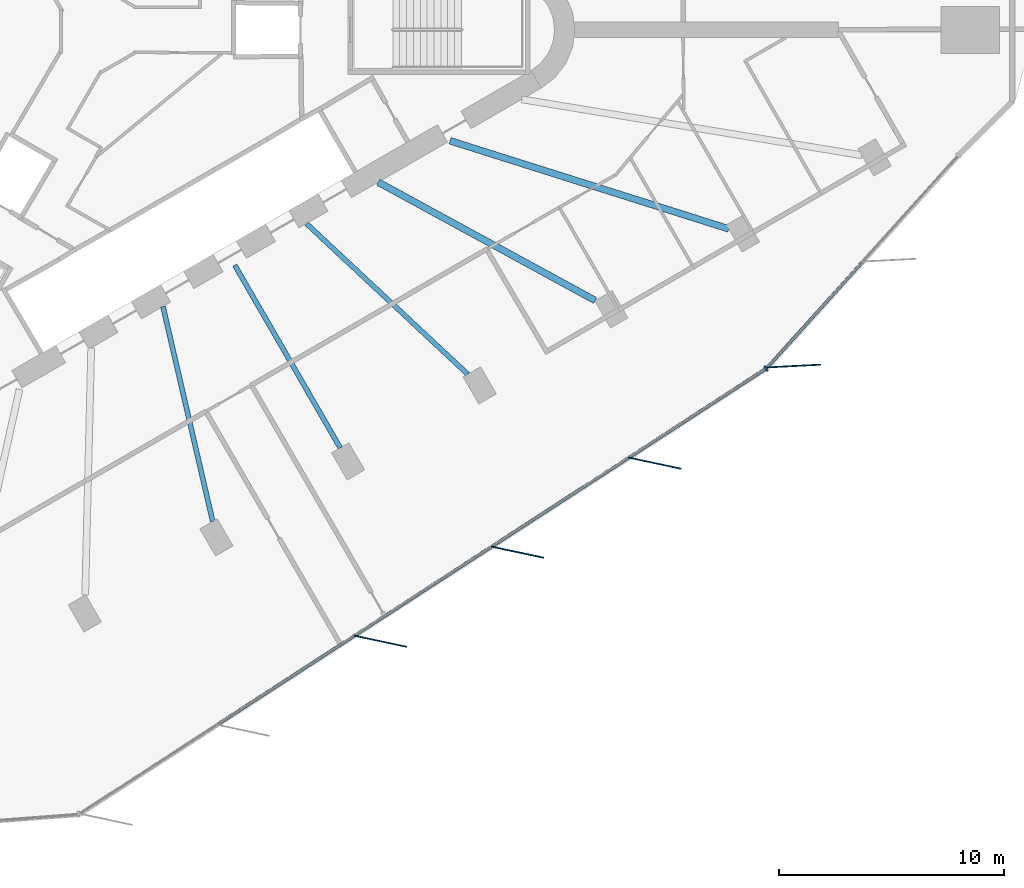
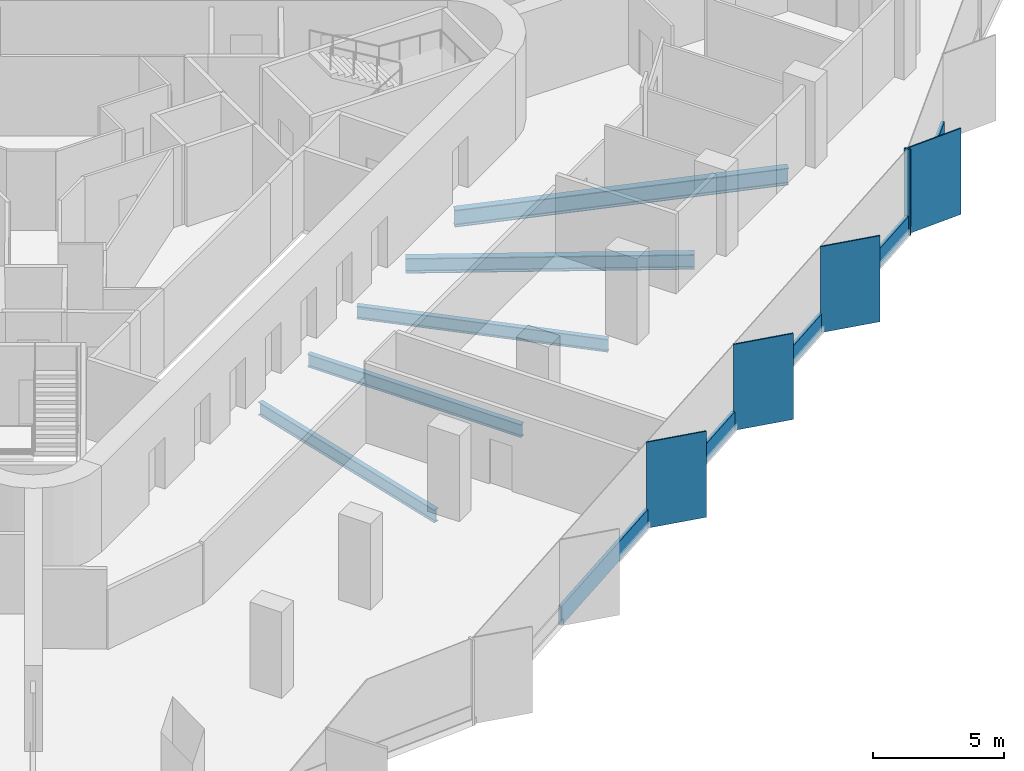
# One storey, part 3 of 14: 10 members, 5 beams, 2 elements without a shape of their own.
"""IFC4 building model written with IfcOpenShell, lengths in metres."""

from ifc_helpers import new_model, si_unit, direction, frame, origin, origin_2d, place, context, subcontext, project, spatial, rectangle, i_section, extrude, material, material_profile, profile_set, type_object, element, aggregate, save


model = new_model("IFC4")

# Units and contexts
model_context = context("Model", 3, precision=1e-05, world=origin(), true_north=direction((0.0, 1.0)))
body_context = subcontext(model_context, "Body", "Model", "MODEL_VIEW")
ifc_project = project(units=[si_unit("LENGTHUNIT", "METRE"), si_unit("AREAUNIT", "SQUARE_METRE"), si_unit("VOLUMEUNIT", "CUBIC_METRE"), si_unit("PLANEANGLEUNIT", "RADIAN"), si_unit("MASSUNIT", "GRAM", prefix="KILO")], contexts=[model_context])

# Site, building, storey
site_placement = place(None, origin())
site = spatial("IfcSite", under=ifc_project, at=site_placement, CompositionType="ELEMENT")
building_placement = place(site_placement, origin())
building = spatial("IfcBuilding", under=site, at=building_placement, Name="Tanit Gate Tower", CompositionType="ELEMENT")
storey_placement = place(building_placement, frame((0.0, 0.0, 213.199951171875)))
storey = spatial("IfcBuildingStorey", under=building, at=storey_placement, Name="L47", CompositionType="ELEMENT", Elevation=213.199951171875)

# Curtain wall, members
ifc_material_1 = material(Name="Aluminium bronze anodised and glass", Category="aluminium")
curtain_wall_type = type_object("IfcCurtainWallType", Name="Curtain wall typical mid", PredefinedType="NOTDEFINED", material=ifc_material_1)
curtain_wall_1_placement = place(storey_placement, origin())
curtain_wall_1 = element("IfcCurtainWall", 1, at=curtain_wall_1_placement, inside=storey, type_object=curtain_wall_type, Name="Curtain wall L47 SE2", PredefinedType="NOTDEFINED")
ifc_material_2 = material(Name="Aluminium bronze anodised", Category="aluminium")
ifc_material_profile_1 = material_profile(ifc_material_2, rectangle(XDim=2.39990234375, YDim=0.055908203125, at=origin_2d()), Name="56x2400 bronze fin mullion")
ifc_profile_set_1 = profile_set([ifc_material_profile_1], Name="Aluminium bronze anodised")
member_type_1 = type_object("IfcMemberType", Name="FIN MULLION 56x2400 bronze", PredefinedType="MULLION", material=ifc_profile_set_1)
member_1_placement = place(storey_placement, frame((12.534423828125, -27.232421875, -0.300048828125), z_axis=(0.0, 0.0, 1.0), x_axis=(-0.978078216824, 0.208237849046, 0.0)))
member_1 = element("IfcMember", 2, at=member_1_placement, type_object=member_type_1, Name="Fin mullion L47 SE2.3", PredefinedType="MULLION", context=body_context, shape_type="SweptSolid", body=[
    extrude(rectangle(XDim=2.39990234375, YDim=0.055908203125, at=origin_2d()), origin(), (0.0, 0.0, 1.0), 4.0),
])
member_2_placement = place(storey_placement, frame((18.646240234375, -23.266357421875, -0.300048828125), z_axis=(0.0, 0.0, 1.0), x_axis=(-0.978078216824, 0.208237849046, 0.0)))
member_2 = element("IfcMember", 3, at=member_2_placement, type_object=member_type_1, Name="Fin mullion L47 SE2.4", PredefinedType="MULLION", context=body_context, shape_type="SweptSolid", body=[
    extrude(rectangle(XDim=2.39990234375, YDim=0.055908203125, at=origin_2d()), origin(), (0.0, 0.0, 1.0), 4.0),
])
member_3_placement = place(storey_placement, frame((24.7578125, -19.300048828125, -0.300048828125), z_axis=(0.0, 0.0, 1.0), x_axis=(-0.978078216824, 0.208237849046, 0.0)))
member_3 = element("IfcMember", 4, at=member_3_placement, type_object=member_type_1, Name="Fin mullion L47 SE2.5", PredefinedType="MULLION", context=body_context, shape_type="SweptSolid", body=[
    extrude(rectangle(XDim=2.39990234375, YDim=0.055908203125, at=origin_2d()), origin(), (0.0, 0.0, 1.0), 4.0),
])

# Curtain wall, member
curtain_wall_2_placement = place(storey_placement, origin())
curtain_wall_2 = element("IfcCurtainWall", 5, at=curtain_wall_2_placement, inside=storey, type_object=curtain_wall_type, Name="Curtain wall L47 SE3", PredefinedType="NOTDEFINED")
member_4_placement = place(storey_placement, frame((30.954345703125, -14.97607421875, -0.300048828125), z_axis=(0.0, 0.0, 1.0), x_axis=(-0.998662240178, -0.051708123563, 0.0)))
member_4 = element("IfcMember", 6, at=member_4_placement, type_object=member_type_1, Name="Fin mullion L47 SE3.1", PredefinedType="MULLION", context=body_context, shape_type="SweptSolid", body=[
    extrude(rectangle(XDim=2.39990234375, YDim=0.055908203125, at=origin_2d()), origin(), (0.0, 0.0, 1.0), 4.0),
])

# Member
ifc_material_3 = material(Name="Aluminium bronze anodised", Category="aluminium")
ifc_material_profile_2 = material_profile(ifc_material_3, rectangle(XDim=0.260009765625, YDim=0.080078125, at=origin_2d()), Name="80x260 bronze mullion")
ifc_profile_set_2 = profile_set([ifc_material_profile_2], Name="Aluminium bronze anodised")
member_type_2 = type_object("IfcMemberType", Name="Mullion 80x260 typical mid", PredefinedType="MULLION", material=ifc_profile_set_2)
member_5_placement = place(storey_placement, frame((29.716796875, -15.088623046875, -0.300048828125), z_axis=(0.0, 0.0, 1.0), x_axis=(-0.544359344487, 0.838852134807, 0.0)))
member_5 = element("IfcMember", 7, at=member_5_placement, type_object=member_type_2, Name="Mullion L47 SE2.6", PredefinedType="MULLION", context=body_context, shape_type="SweptSolid", body=[
    extrude(rectangle(XDim=0.260009765625, YDim=0.080078125, at=origin_2d()), origin(), (0.0, 0.0, 1.0), 4.0),
])

# Beams
ifc_material_4 = material(Name="Steel S355", Category="steel")
ifc_material_profile_3 = material_profile(ifc_material_4, i_section(OverallWidth=0.300048828125, OverallDepth=0.68994140625, WebThickness=0.014404296875, FlangeThickness=0.027099609375, FilletRadius=0.027099609375, at=origin_2d()), Name="HEA 700")
ifc_profile_set_3 = profile_set([ifc_material_profile_3], Name="Steel S355")
beam_type_1 = type_object("IfcBeamType", Name="RADIAL GIRDER HEA 700 S355", PredefinedType="BEAM", material=ifc_profile_set_3)
beam_1_placement = place(storey_placement, frame((22.1064453125, -12.059326171875, -0.64501953125), z_axis=(-0.877879464436, 0.478881661709, 0.0), x_axis=(-0.478881661709, -0.877879464436, 0.0)))
element("IfcBeam", 8, at=beam_1_placement, inside=storey, type_object=beam_type_1, Name="RADIAL GIRDER", PredefinedType="BEAM", context=body_context, shape_type="SweptSolid", body=[
    extrude(i_section(OverallWidth=0.300048828125, OverallDepth=0.68994140625, WebThickness=0.014404296875, FlangeThickness=0.027099609375, FilletRadius=0.027099609375, at=origin_2d()), origin(), (0.0, 0.0, 1.0), 11.00537109375),
])
ifc_material_5 = material(Name="Steel S355", Category="steel")
ifc_material_profile_4 = material_profile(ifc_material_5, i_section(OverallWidth=0.300048828125, OverallDepth=0.7900390625, WebThickness=0.014892578125, FlangeThickness=0.028076171875, FilletRadius=0.030029296875, at=origin_2d()), Name="HEA 800")
ifc_profile_set_4 = profile_set([ifc_material_profile_4], Name="Steel S355")
beam_type_2 = type_object("IfcBeamType", Name="RADIAL GIRDER HEA 800 S355", PredefinedType="BEAM", material=ifc_profile_set_4)
beam_2_placement = place(storey_placement, frame((28.054443359375, -8.86572265625, -0.695068359375), z_axis=(-0.953523689029, 0.301318061957, 0.0), x_axis=(-0.301318061957, -0.953523689029, 0.0)))
element("IfcBeam", 9, at=beam_2_placement, inside=storey, type_object=beam_type_2, Name="RADIAL GIRDER", PredefinedType="BEAM", context=body_context, shape_type="SweptSolid", body=[
    extrude(i_section(OverallWidth=0.300048828125, OverallDepth=0.7900390625, WebThickness=0.014892578125, FlangeThickness=0.028076171875, FilletRadius=0.030029296875, at=origin_2d()), origin(), (0.0, 0.0, 1.0), 13.017333984375),
])
ifc_material_6 = material(Name="Steel S355", Category="steel")
ifc_material_profile_5 = material_profile(ifc_material_6, i_section(OverallWidth=0.219970703125, OverallDepth=0.60009765625, WebThickness=0.011962890625, FlangeThickness=0.01904296875, FilletRadius=0.02392578125, at=origin_2d()), Name="IPE 600")
ifc_profile_set_5 = profile_set([ifc_material_profile_5], Name="Steel S355")
beam_type_3 = type_object("IfcBeamType", Name="RADIAL GIRDER IPE 600 S355", PredefinedType="BEAM", material=ifc_profile_set_5)
beam_3_placement = place(storey_placement, frame((5.069580078125, -21.8955078125, -0.599853515625), z_axis=(-0.225567421981, 0.974227559732, 0.0), x_axis=(-0.974227559732, -0.225567421981, 0.0)))
element("IfcBeam", 10, at=beam_3_placement, inside=storey, type_object=beam_type_3, Name="RADIAL GIRDER", PredefinedType="BEAM", context=body_context, shape_type="SweptSolid", body=[
    extrude(i_section(OverallWidth=0.219970703125, OverallDepth=0.60009765625, WebThickness=0.011962890625, FlangeThickness=0.01904296875, FilletRadius=0.02392578125, at=origin_2d()), origin(), (0.0, 0.0, 1.0), 9.822265625),
])
beam_4_placement = place(storey_placement, frame((10.74853515625, -18.616943359375, -0.599853515625), z_axis=(-0.500004383815, 0.866022872773, 0.0), x_axis=(-0.866022872773, -0.500004383815, 0.0)))
element("IfcBeam", 11, at=beam_4_placement, inside=storey, type_object=beam_type_3, Name="RADIAL GIRDER", PredefinedType="BEAM", context=body_context, shape_type="SweptSolid", body=[
    extrude(i_section(OverallWidth=0.219970703125, OverallDepth=0.60009765625, WebThickness=0.011962890625, FlangeThickness=0.01904296875, FilletRadius=0.02392578125, at=origin_2d()), origin(), (0.0, 0.0, 1.0), 9.39501953125),
])
beam_5_placement = place(storey_placement, frame((16.427490234375, -15.338134765625, -0.599853515625), z_axis=(-0.730925486912, 0.68245727528, 0.0), x_axis=(-0.68245727528, -0.730925486912, 0.0)))
element("IfcBeam", 12, at=beam_5_placement, inside=storey, type_object=beam_type_3, Name="RADIAL GIRDER", PredefinedType="BEAM", context=body_context, shape_type="SweptSolid", body=[
    extrude(i_section(OverallWidth=0.219970703125, OverallDepth=0.60009765625, WebThickness=0.011962890625, FlangeThickness=0.01904296875, FilletRadius=0.02392578125, at=origin_2d()), origin(), (0.0, 0.0, 1.0), 9.822509765625),
])

# Member
ifc_material_7 = material(Name="Aluminium bronze anodised", Category="aluminium")
ifc_material_profile_6 = material_profile(ifc_material_7, rectangle(XDim=0.139892578125, YDim=0.89990234375, at=origin_2d()), Name="140x900 bronze transom")
ifc_profile_set_6 = profile_set([ifc_material_profile_6], Name="Aluminium bronze anodised")
member_type_3 = type_object("IfcMemberType", Name="Transom 140x900 typical mid", PredefinedType="USERDEFINED", material=ifc_profile_set_6)
member_6_placement = place(storey_placement, frame((5.30322265625, -30.93115234375, 0.150146484375), z_axis=(0.838866790011, 0.544336760302, 0.0), x_axis=(-0.544336760302, 0.838866790011, 0.0)))
member_6 = element("IfcMember", 13, at=member_6_placement, type_object=member_type_3, Name="Transom L47 SE2.2", ObjectType="TRANSOM", PredefinedType="USERDEFINED", context=body_context, shape_type="SweptSolid", body=[
    extrude(rectangle(XDim=0.139892578125, YDim=0.89990234375, at=origin_2d()), origin(), (0.0, 0.0, 1.0), 7.205810546875),
])

member_7_placement = place(storey_placement, frame((11.4150390625, -26.965087890625, 0.150146484375), z_axis=(0.83885131888, 0.544360601819, 0.0), x_axis=(-0.544360601819, 0.83885131888, 0.0)))
member_7 = element("IfcMember", 14, at=member_7_placement, type_object=member_type_3, Name="Transom L47 SE2.3", ObjectType="TRANSOM", PredefinedType="USERDEFINED", context=body_context, shape_type="SweptSolid", body=[
    extrude(rectangle(XDim=0.139892578125, YDim=0.89990234375, at=origin_2d()), origin(), (0.0, 0.0, 1.0), 7.205810546875),
])

member_8_placement = place(storey_placement, frame((17.52685546875, -22.9990234375, 0.150146484375), z_axis=(0.838841278647, 0.544376073351, 0.0), x_axis=(-0.544376073351, 0.838841278647, 0.0)))
member_8 = element("IfcMember", 15, at=member_8_placement, type_object=member_type_3, Name="Transom L47 SE2.4", ObjectType="TRANSOM", PredefinedType="USERDEFINED", context=body_context, shape_type="SweptSolid", body=[
    extrude(rectangle(XDim=0.139892578125, YDim=0.89990234375, at=origin_2d()), origin(), (0.0, 0.0, 1.0), 7.205810546875),
])

member_9_placement = place(storey_placement, frame((23.638427734375, -19.032958984375, 0.150146484375), z_axis=(0.83885131888, 0.544360601819, 0.0), x_axis=(-0.544360601819, 0.83885131888, 0.0)))
member_9 = element("IfcMember", 16, at=member_9_placement, type_object=member_type_3, Name="Transom L47 SE2.5", ObjectType="TRANSOM", PredefinedType="USERDEFINED", context=body_context, shape_type="SweptSolid", body=[
    extrude(rectangle(XDim=0.139892578125, YDim=0.89990234375, at=origin_2d()), origin(), (0.0, 0.0, 1.0), 7.205810546875),
])

aggregate(curtain_wall_1, [member_1, member_2, member_3, member_5, member_6, member_7, member_8, member_9])

member_10_placement = place(storey_placement, frame((29.803955078125, -15.00732421875, 0.150146484375), z_axis=(0.669596981094, 0.742724634646, 0.0), x_axis=(-0.742724634646, 0.669596981094, 0.0)))
member_10 = element("IfcMember", 17, at=member_10_placement, type_object=member_type_3, Name="Transom L47 SE3.1", ObjectType="TRANSOM", PredefinedType="USERDEFINED", context=body_context, shape_type="SweptSolid", body=[
    extrude(rectangle(XDim=0.139892578125, YDim=0.89990234375, at=origin_2d()), origin(), (0.0, 0.0, 1.0), 6.269775390625),
])

aggregate(curtain_wall_2, [member_4, member_10])

save(model, "model.ifc")
